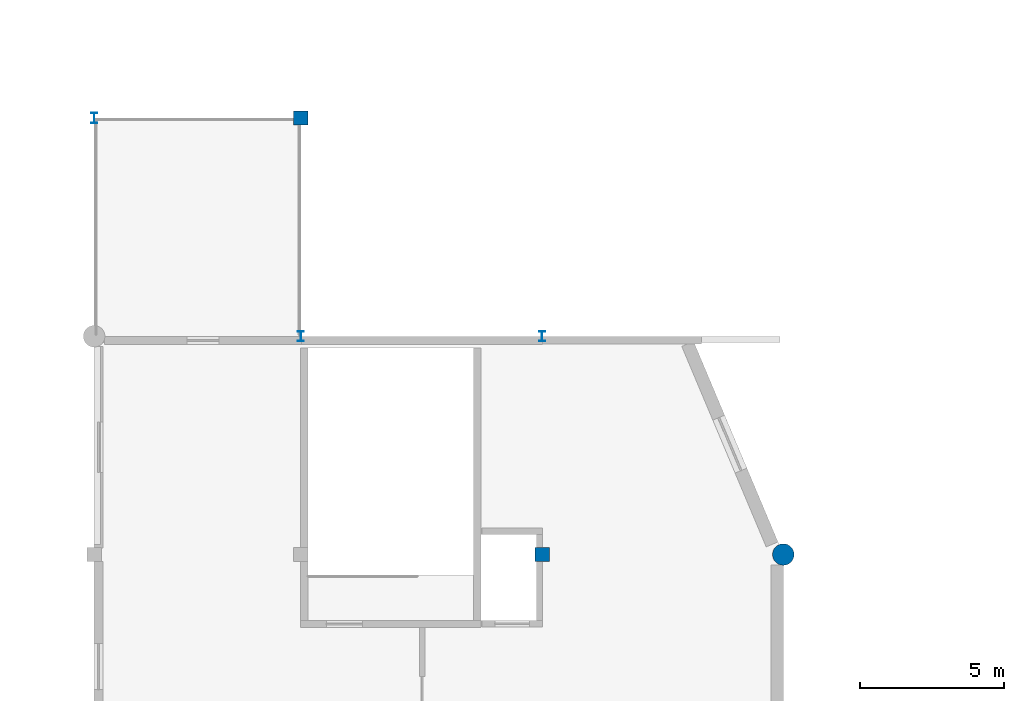
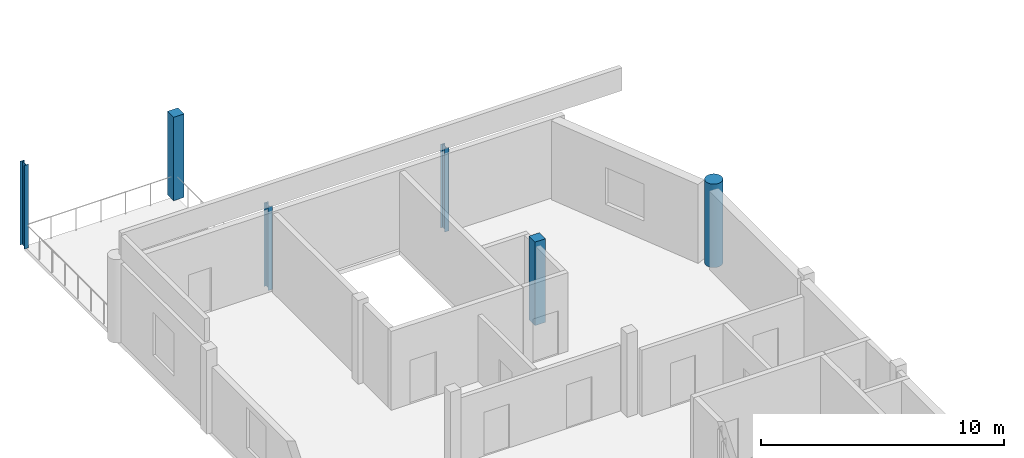
# One storey, part 6 of 17: 6 columns.
"""IFC4 building model written with IfcOpenShell, lengths in metres."""

from ifc_helpers import new_model, si_unit, direction, frame, origin, origin_2d, place, context, subcontext, project, spatial, rectangle, circle, i_section, extrude, material, material_profile, profile_set, type_object, element, save


model = new_model("IFC4")

# Units and contexts
model_context = context("Model", 3, precision=1e-05, world=origin(), true_north=direction((0.0, 1.0)))
body_context = subcontext(model_context, "Body", "Model", "MODEL_VIEW")
ifc_project = project(units=[si_unit("LENGTHUNIT", "METRE"), si_unit("AREAUNIT", "SQUARE_METRE"), si_unit("VOLUMEUNIT", "CUBIC_METRE"), si_unit("PLANEANGLEUNIT", "RADIAN"), si_unit("MASSUNIT", "GRAM", prefix="KILO")], contexts=[model_context])

# Site, building, storey
site_placement = place(None, origin())
site = spatial("IfcSite", under=ifc_project, at=site_placement, CompositionType="ELEMENT")
building_placement = place(site_placement, origin())
building = spatial("IfcBuilding", under=site, at=building_placement, Name="Xicomal Pleat Aquarium", CompositionType="ELEMENT")
storey_placement = place(building_placement, frame((0.0, 0.0, 19.800048828125)))
storey = spatial("IfcBuildingStorey", under=building, at=storey_placement, Name="L05", CompositionType="ELEMENT", Elevation=19.800048828125)

# Columns
ifc_material_1 = material(Name="Concrete C35/45", Category="concrete")
ifc_material_profile_1 = material_profile(ifc_material_1, rectangle(XDim=0.5, YDim=0.5, at=origin_2d()), Name="RC 500x500")
ifc_profile_set_1 = profile_set([ifc_material_profile_1], Name="Concrete C35/45")
column_type_1 = type_object("IfcColumnType", Name="COL-RC-500x500", PredefinedType="COLUMN", material=ifc_profile_set_1)
for number, where, z_axis, x_axis, name in (
    (1, (10.199951171875, 83.60009765625, 0.0), (0.0, 0.0, 1.0), (1.0, 0.0, 0.0), "L05 column 02/M"),
    (2, (18.60009765625, 68.39990234375, 0.0), (0.0, 0.0, 1.0), (1.0, 0.0, 0.0), "L05 column 03/K"),
):
    element("IfcColumn", number, at=place(storey_placement, frame(where, z_axis=z_axis, x_axis=x_axis)), inside=storey, type_object=column_type_1, Name=name, PredefinedType="COLUMN", context=body_context, shape_type="SweptSolid", body=[
        extrude(rectangle(XDim=0.5, YDim=0.5, at=origin_2d()), origin(), (0.0, 0.0, 1.0), 4.199951171875),
    ])
ifc_material_2 = material(Name="Concrete C40/50", Category="concrete")
ifc_material_profile_2 = material_profile(ifc_material_2, circle(Radius=0.375, at=origin_2d()), Name="RCC D750")
ifc_profile_set_2 = profile_set([ifc_material_profile_2], Name="Concrete C40/50")
column_type_2 = type_object("IfcColumnType", Name="COL-RCC-D750", PredefinedType="COLUMN", material=ifc_profile_set_2)
column_placement = place(storey_placement, frame((27.0, 68.39990234375, 0.0), z_axis=(0.0, 0.0, 1.0), x_axis=(1.0, 0.0, 0.0)))
element("IfcColumn", 3, at=column_placement, inside=storey, type_object=column_type_2, Name="L05 column 04/K", PredefinedType="COLUMN", context=body_context, shape_type="SweptSolid", body=[
    extrude(circle(Radius=0.375, at=origin_2d()), origin(), (0.0, 0.0, 1.0), 4.199951171875),
])
ifc_material_3 = material(Name="Structural steel A992 Gr 50", Category="steel")
ifc_material_profile_3 = material_profile(ifc_material_3, i_section(OverallWidth=0.205078125, OverallDepth=0.35400390625, WebThickness=0.009521484375, FlangeThickness=0.016845703125, at=origin_2d()), Name="IR 360x79")
ifc_profile_set_3 = profile_set([ifc_material_profile_3], Name="Structural steel A992 Gr 50")
column_type_3 = type_object("IfcColumnType", Name="COL-STL-IR360", PredefinedType="COLUMN", material=ifc_profile_set_3)
for number, where, z_axis, x_axis, name in (
    (4, (3.0, 83.60009765625, 0.0), (0.0, 0.0, 1.0), (1.0, 0.0, 0.0), "L05 column 01/M"),
    (5, (10.199951171875, 76.0, 0.0), (0.0, 0.0, 1.0), (1.0, 0.0, 0.0), "L05 column 02/L"),
    (6, (18.60009765625, 76.0, 0.0), (0.0, 0.0, 1.0), (1.0, 0.0, 0.0), "L05 column 03/L"),
):
    element("IfcColumn", number, at=place(storey_placement, frame(where, z_axis=z_axis, x_axis=x_axis)), inside=storey, type_object=column_type_3, Name=name, PredefinedType="COLUMN", context=body_context, shape_type="SweptSolid", body=[
        extrude(i_section(OverallWidth=0.205078125, OverallDepth=0.35400390625, WebThickness=0.009521484375, FlangeThickness=0.016845703125, at=origin_2d()), origin(), (0.0, 0.0, 1.0), 4.199951171875),
    ])

save(model, "model.ifc")
